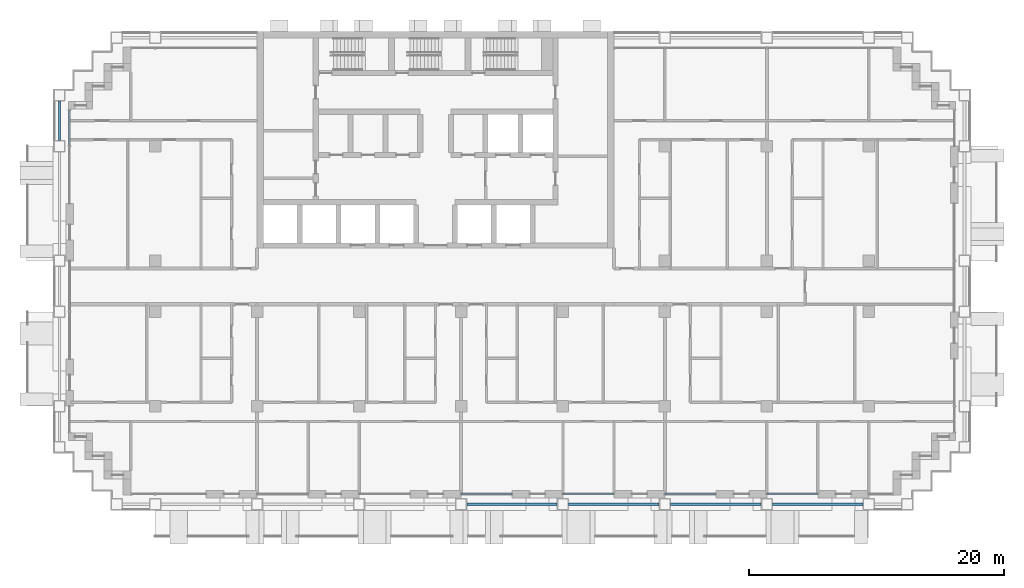
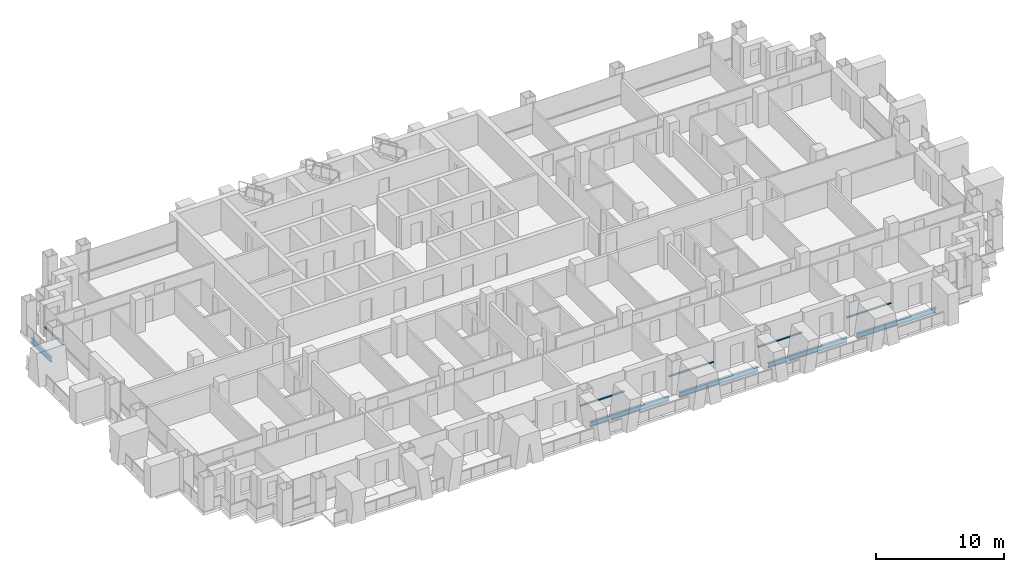
# One storey, part 3 of 17: 5 beams, 5 members, 5 elements without a shape of their own.
"""IFC4 building model written with IfcOpenShell, lengths in metres."""

from ifc_helpers import new_model, si_unit, direction, frame, origin, origin_2d, place, context, subcontext, project, spatial, rectangle, i_section, extrude, material, material_profile, profile_set, type_object, element, aggregate, save


model = new_model("IFC4")

# Units and contexts
model_context = context("Model", 3, precision=1e-05, world=origin(), true_north=direction((0.0, 1.0)))
body_context = subcontext(model_context, "Body", "Model", "MODEL_VIEW")
ifc_project = project(units=[si_unit("LENGTHUNIT", "METRE"), si_unit("AREAUNIT", "SQUARE_METRE"), si_unit("VOLUMEUNIT", "CUBIC_METRE"), si_unit("PLANEANGLEUNIT", "RADIAN"), si_unit("MASSUNIT", "GRAM", prefix="KILO")], contexts=[model_context])

# Site, building, storey
site_placement = place(None, origin())
site = spatial("IfcSite", under=ifc_project, at=site_placement, CompositionType="ELEMENT")
building_placement = place(site_placement, origin())
building = spatial("IfcBuilding", under=site, at=building_placement, Name="Vidyagriha Tower", CompositionType="ELEMENT")
storey_placement = place(building_placement, frame((0.0, 0.0, 87.10009765625)))
storey = spatial("IfcBuildingStorey", under=building, at=storey_placement, Name="L22", CompositionType="ELEMENT", Elevation=87.10009765625)

# Beams
ifc_material_1 = material(Name="Steel ASTM A992 Grade 50", Category="steel")
ifc_material_profile_1 = material_profile(ifc_material_1, i_section(OverallWidth=0.19189453125, OverallDepth=0.46240234375, WebThickness=0.010498046875, FlangeThickness=0.017578125, at=origin_2d()), Name="W18X60")
ifc_profile_set_1 = profile_set([ifc_material_profile_1], Name="Steel ASTM A992 Grade 50")
beam_type = type_object("IfcBeamType", Name="Edge beam W18X60", PredefinedType="SPANDREL", material=ifc_profile_set_1)
for number, where, z_axis, x_axis, name in (
    (1, (2.449951171875, -17.10009765625, -0.51123046875), (1.0, 0.0, 0.0), (0.0, 1.0, 0.0), "st-beam-L22-S05"),
    (2, (10.449951171875, -17.10009765625, -0.51123046875), (1.0, 0.0, 0.0), (0.0, 1.0, 0.0), "st-beam-L22-S06"),
    (3, (18.449951171875, -17.10009765625, -0.51123046875), (1.0, 0.0, 0.0), (0.0, 1.0, 0.0), "st-beam-L22-S07"),
    (4, (26.449951171875, -17.10009765625, -0.51123046875), (1.0, 0.0, 0.0), (0.0, 1.0, 0.0), "st-beam-L22-S08"),
):
    element("IfcBeam", number, at=place(storey_placement, frame(where, z_axis=z_axis, x_axis=x_axis)), inside=storey, type_object=beam_type, Name=name, PredefinedType="SPANDREL", context=body_context, shape_type="SweptSolid", body=[
        extrude(i_section(OverallWidth=0.19189453125, OverallDepth=0.46240234375, WebThickness=0.010498046875, FlangeThickness=0.017578125, at=origin_2d()), origin(), (0.0, 0.0, 1.0), 7.10009765625),
    ])
beam_placement = place(storey_placement, frame((-29.5, 11.449951171875, -0.51123046875), z_axis=(0.0, 1.0, 0.0), x_axis=(-1.0, 0.0, 0.0)))
element("IfcBeam", 5, at=beam_placement, inside=storey, type_object=beam_type, Name="st-beam-L22-W14", PredefinedType="SPANDREL", context=body_context, shape_type="SweptSolid", body=[
    extrude(i_section(OverallWidth=0.19189453125, OverallDepth=0.46240234375, WebThickness=0.010498046875, FlangeThickness=0.017578125, at=origin_2d()), origin(), (0.0, 0.0, 1.0), 3.10009765625),
])

# Curtain wall, member
ifc_material_2 = material(Name="Aluminium and glass curtain wall", Category="aluminium")
curtain_wall_type = type_object("IfcCurtainWallType", Name="Dwelling skin unitised curtain wall", PredefinedType="USERDEFINED", material=ifc_material_2)
curtain_wall_1_placement = place(storey_placement, origin())
curtain_wall_1 = element("IfcCurtainWall", 6, at=curtain_wall_1_placement, inside=storey, type_object=curtain_wall_type, Name="CW1 dwelling skin", ObjectType="UNITISED", PredefinedType="USERDEFINED")
ifc_material_3 = material(Name="Aluminium black anodised", Category="aluminium")
ifc_material_profile_2 = material_profile(ifc_material_3, rectangle(XDim=0.159912109375, YDim=0.10009765625, at=origin_2d()), Name="Transom 100x160 black aluminium")
ifc_profile_set_2 = profile_set([ifc_material_profile_2], Name="Aluminium black anodised")
member_type = type_object("IfcMemberType", Name="Transom 100x160 black aluminium", PredefinedType="USERDEFINED", material=ifc_profile_set_2)
member_1_placement = place(storey_placement, frame((-28.699951171875, 13.830078125, 0.89990234375), z_axis=(0.0, -1.0, 0.0), x_axis=(1.0, 0.0, 0.0)))
member_1 = element("IfcMember", 7, at=member_1_placement, type_object=member_type, Name="CW1 transom 1.1", ObjectType="TRANSOM", PredefinedType="USERDEFINED", context=body_context, shape_type="SweptSolid", body=[
    extrude(rectangle(XDim=0.159912109375, YDim=0.10009765625, at=origin_2d()), origin(), (0.0, 0.0, 1.0), 2.795166015625),
])
aggregate(curtain_wall_1, [member_1])

curtain_wall_2_placement = place(storey_placement, origin())
curtain_wall_2 = element("IfcCurtainWall", 8, at=curtain_wall_2_placement, inside=storey, type_object=curtain_wall_type, Name="CW1 dwelling skin", ObjectType="UNITISED", PredefinedType="USERDEFINED")
member_2_placement = place(storey_placement, frame((2.0, -16.300048828125, 0.89990234375), z_axis=(1.0, 0.0, 0.0), x_axis=(0.0, 1.0, 0.0)))
member_2 = element("IfcMember", 9, at=member_2_placement, type_object=member_type, Name="CW1 transom 1.1", ObjectType="TRANSOM", PredefinedType="USERDEFINED", context=body_context, shape_type="SweptSolid", body=[
    extrude(rectangle(XDim=0.159912109375, YDim=0.10009765625, at=origin_2d()), origin(), (0.0, 0.0, 1.0), 4.0),
])
aggregate(curtain_wall_2, [member_2])

curtain_wall_3_placement = place(storey_placement, origin())
curtain_wall_3 = element("IfcCurtainWall", 10, at=curtain_wall_3_placement, inside=storey, type_object=curtain_wall_type, Name="CW1 dwelling skin", ObjectType="UNITISED", PredefinedType="USERDEFINED")
member_3_placement = place(storey_placement, frame((10.0, -16.300048828125, 0.89990234375), z_axis=(1.0, 0.0, 0.0), x_axis=(0.0, 1.0, 0.0)))
member_3 = element("IfcMember", 11, at=member_3_placement, type_object=member_type, Name="CW1 transom 1.1", ObjectType="TRANSOM", PredefinedType="USERDEFINED", context=body_context, shape_type="SweptSolid", body=[
    extrude(rectangle(XDim=0.159912109375, YDim=0.10009765625, at=origin_2d()), origin(), (0.0, 0.0, 1.0), 4.0),
])
aggregate(curtain_wall_3, [member_3])

curtain_wall_4_placement = place(storey_placement, origin())
curtain_wall_4 = element("IfcCurtainWall", 12, at=curtain_wall_4_placement, inside=storey, type_object=curtain_wall_type, Name="CW1 dwelling skin", ObjectType="UNITISED", PredefinedType="USERDEFINED")
member_4_placement = place(storey_placement, frame((18.0, -16.300048828125, 0.89990234375), z_axis=(1.0, 0.0, 0.0), x_axis=(0.0, 1.0, 0.0)))
member_4 = element("IfcMember", 13, at=member_4_placement, type_object=member_type, Name="CW1 transom 1.1", ObjectType="TRANSOM", PredefinedType="USERDEFINED", context=body_context, shape_type="SweptSolid", body=[
    extrude(rectangle(XDim=0.159912109375, YDim=0.10009765625, at=origin_2d()), origin(), (0.0, 0.0, 1.0), 4.0),
])
aggregate(curtain_wall_4, [member_4])

curtain_wall_5_placement = place(storey_placement, origin())
curtain_wall_5 = element("IfcCurtainWall", 14, at=curtain_wall_5_placement, inside=storey, type_object=curtain_wall_type, Name="CW1 dwelling skin", ObjectType="UNITISED", PredefinedType="USERDEFINED")
member_5_placement = place(storey_placement, frame((26.0, -16.300048828125, 0.89990234375), z_axis=(1.0, 0.0, 0.0), x_axis=(0.0, 1.0, 0.0)))
member_5 = element("IfcMember", 15, at=member_5_placement, type_object=member_type, Name="CW1 transom 1.1", ObjectType="TRANSOM", PredefinedType="USERDEFINED", context=body_context, shape_type="SweptSolid", body=[
    extrude(rectangle(XDim=0.159912109375, YDim=0.10009765625, at=origin_2d()), origin(), (0.0, 0.0, 1.0), 4.0),
])
aggregate(curtain_wall_5, [member_5])

save(model, "model.ifc")
